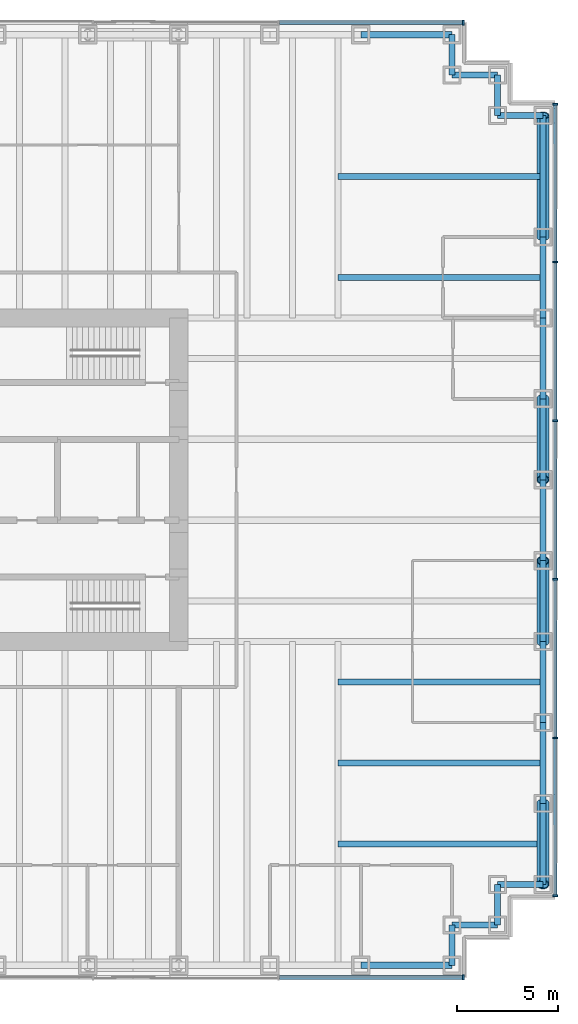
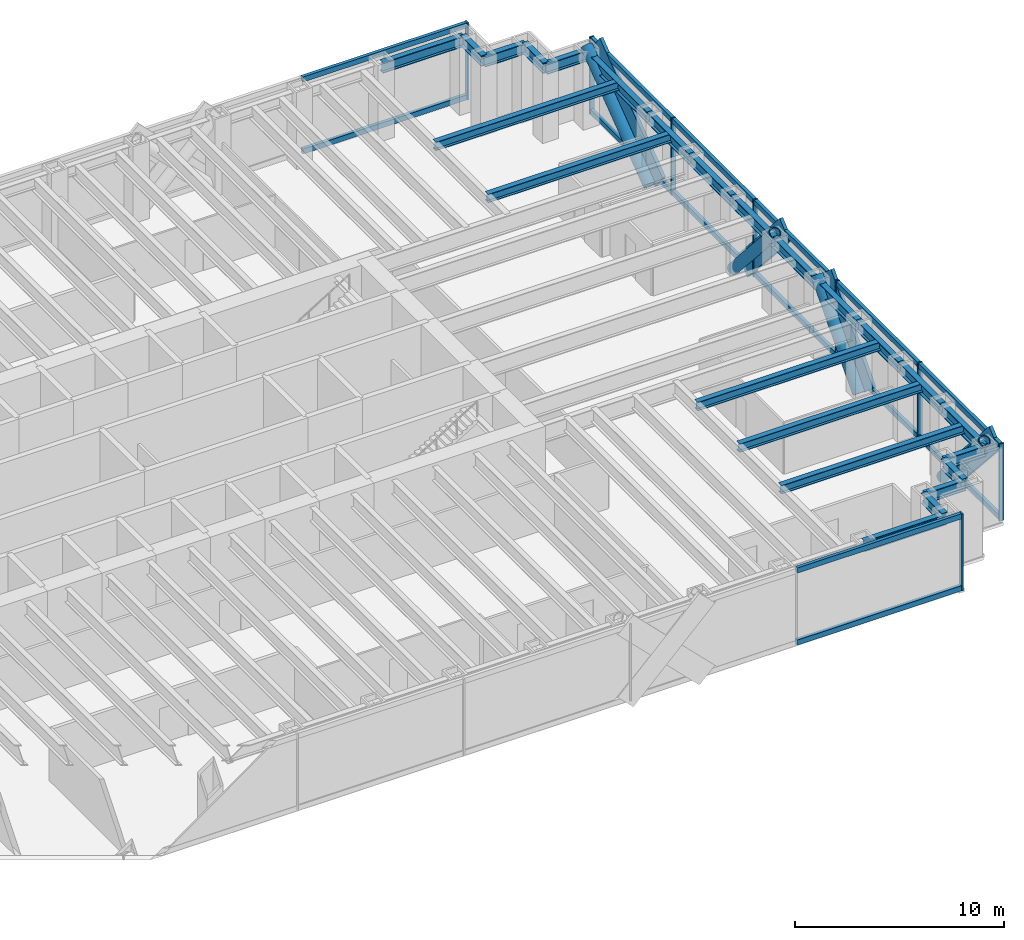
# One storey, part 7 of 13: 30 members, 24 beams, 3 elements without a shape of their own.
"""IFC4 building model written with IfcOpenShell, lengths in metres."""

import ifcopenshell
import ifcopenshell.guid

model = None  # the IFC model being written
_history = None  # IfcOwnerHistory: only IFC2X3 demands one
_inside = {}  # id of a spatial element -> (the spatial element, [elements in it])
_under = {}  # id of a project, library or spatial element -> (it, [spatial elements below it])
_declared = {}  # id of a project -> (the project, [libraries it declares])
_typed = {}  # id of a type object -> (the type object, [elements of that type])
_made_of = {}  # id of a material, layer set ... -> (it, [elements and type objects made of it])


def new_model(schema):
    """Start an empty IFC model of exactly this schema.

    Asked for "IFC4X3", IfcOpenShell would pick the latest addendum, in which some entities
    have other attributes; the version numbers below select the first issue.
    IFC2X3 requires an IfcOwnerHistory on every rooted entity: one is made here for all.
    """
    global model, _history
    if schema == "IFC4X3":
        model = ifcopenshell.file(schema_version=(4, 3, 0, 0))
    else:
        model = ifcopenshell.file(schema=schema)
    _inside.clear()
    _under.clear()
    _declared.clear()
    _typed.clear()
    _made_of.clear()
    _history = None
    if model.schema == "IFC2X3":
        org = make("IfcOrganization", Name="unknown")
        user = make(
            "IfcPersonAndOrganization",
            ThePerson=make("IfcPerson", FamilyName="unknown"),
            TheOrganization=org,
        )
        app = make(
            "IfcApplication",
            ApplicationDeveloper=org,
            Version="unknown",
            ApplicationFullName="unknown",
            ApplicationIdentifier="unknown",
        )
        _history = make(
            "IfcOwnerHistory",
            OwningUser=user,
            OwningApplication=app,
            ChangeAction="ADDED",
            CreationDate=0,
        )
    return model


def make(cls, **values):
    """One entity of the class cls with the attributes given. An attribute that is None is left unset."""
    return model.create_entity(
        cls, **{name: value for name, value in values.items() if value is not None}
    )


def rooted(cls, **values):
    """An entity with a GlobalId (a new one), such as an element, a storey or a relation."""
    return make(cls, GlobalId=ifcopenshell.guid.new(), OwnerHistory=_history, **values)


def si_unit(unit_type, name, prefix=None):
    """IfcSIUnit, for example si_unit("LENGTHUNIT", "METRE", prefix="MILLI")."""
    return make("IfcSIUnit", UnitType=unit_type, Prefix=prefix, Name=name)


def assignment(units):
    """IfcUnitAssignment: the units of a project."""
    return None if units is None else make("IfcUnitAssignment", Units=units)


def point(xyz):
    """IfcCartesianPoint."""
    return None if xyz is None else make("IfcCartesianPoint", Coordinates=xyz)


def direction(xyz):
    """IfcDirection."""
    return None if xyz is None else make("IfcDirection", DirectionRatios=xyz)


def frame(location, z_axis=None, x_axis=None):
    """IfcAxis2Placement3D, a coordinate frame: its origin and axes. An axis left out is left unset."""
    return make(
        "IfcAxis2Placement3D",
        Location=point(location),
        Axis=direction(z_axis),
        RefDirection=direction(x_axis),
    )


def frame_2d(location, x_axis=None):
    """IfcAxis2Placement2D, a coordinate frame in the plane: its origin and x axis."""
    return make(
        "IfcAxis2Placement2D", Location=point(location), RefDirection=direction(x_axis)
    )


def origin():
    """The frame at (0, 0, 0) with its axes left unset."""
    return frame((0.0, 0.0, 0.0))


def origin_2d():
    """The frame at (0, 0) in the plane with its x axis left unset."""
    return frame_2d((0.0, 0.0))


def place(relative_to, where):
    """IfcLocalPlacement: puts the frame where relative to a parent placement (None: the world)."""
    return make(
        "IfcLocalPlacement", PlacementRelTo=relative_to, RelativePlacement=where
    )


def context(
    kind, dimensions, precision=None, world=None, true_north=None, identifier=None
):
    """IfcGeometricRepresentationContext, for example the 3D "Model" context."""
    return make(
        "IfcGeometricRepresentationContext",
        ContextIdentifier=identifier,
        ContextType=kind,
        CoordinateSpaceDimension=dimensions,
        Precision=precision,
        WorldCoordinateSystem=world,
        TrueNorth=true_north,
    )


def subcontext(parent, identifier, kind, view, scale=None):
    """IfcGeometricRepresentationSubContext, for example "Body" below "Model"."""
    return make(
        "IfcGeometricRepresentationSubContext",
        ContextIdentifier=identifier,
        ContextType=kind,
        ParentContext=parent,
        TargetScale=scale,
        TargetView=view,
    )


def project(units=None, contexts=None):
    """IfcProject with its units and contexts."""
    return rooted(
        "IfcProject",
        Name="project",
        RepresentationContexts=contexts,
        UnitsInContext=assignment(units),
    )


def spatial(cls, under=None, at=None, **own):
    """A site, building, storey or space (cls), placed at a placement, below another one or the project."""
    s = rooted(cls, ObjectPlacement=at, **own)
    if under is not None:
        _under.setdefault(under.id(), (under, []))[1].append(s)
    return s


def profile(cls, at=None, kind="AREA", **sizes):
    """A parametric profile (cls). Its sizes go by their IFC names, for example OverallWidth=200.0."""
    return make(cls, ProfileType=kind, Position=at, **sizes)


def rectangle(**sizes):
    """IfcRectangleProfileDef."""
    return profile("IfcRectangleProfileDef", **sizes)


def hollow_circle(**sizes):
    """IfcCircleHollowProfileDef."""
    return profile("IfcCircleHollowProfileDef", **sizes)


def i_section(**sizes):
    """IfcIShapeProfileDef."""
    return profile("IfcIShapeProfileDef", **sizes)


def extrude(swept, where, along, depth):
    """IfcExtrudedAreaSolid: the profile swept, set in the frame where, extruded along a direction by depth."""
    return make(
        "IfcExtrudedAreaSolid",
        SweptArea=swept,
        Position=where,
        ExtrudedDirection=direction(along),
        Depth=depth,
    )


def shape(context_of_items, identifier, shape_type, items):
    """IfcShapeRepresentation: the items that make up one representation, for example the "Body"."""
    return make(
        "IfcShapeRepresentation",
        ContextOfItems=context_of_items,
        RepresentationIdentifier=identifier,
        RepresentationType=shape_type,
        Items=items,
    )


def material(Name=None, Category=None):
    """IfcMaterial."""
    return make("IfcMaterial", Name=Name, Category=Category)


def material_profile(
    of_material, cross_section, Name=None, Category=None, Priority=None
):
    """IfcMaterialProfile: a cross section and its material."""
    return make(
        "IfcMaterialProfile",
        Name=Name,
        Material=of_material,
        Profile=cross_section,
        Priority=Priority,
        Category=Category,
    )


def profile_set(profiles, Name=None, composite=None):
    """IfcMaterialProfileSet."""
    return make(
        "IfcMaterialProfileSet",
        Name=Name,
        MaterialProfiles=profiles,
        CompositeProfile=composite,
    )


def made_of(thing, what):
    """Note that an element or type object is made of a material, layer set ...; save() writes the relation."""
    if what is not None:
        _made_of.setdefault(what.id(), (what, []))[1].append(thing)
    return thing


def type_object(cls, material=None, **own):
    """A type object (cls), such as IfcWallType, which elements share."""
    return made_of(rooted(cls, **own), material)


def element(
    cls,
    number,
    at=None,
    inside=None,
    cuts=None,
    type_object=None,
    material=None,
    context=None,
    identifier="Body",
    shape_type=None,
    held_by="IfcProductDefinitionShape",
    body=None,
    shapes=None,
    **own,
):
    """One element of the class cls, such as IfcWall. Its Tag is "e" and its number.

    at: its placement. inside: the storey or other place that contains it. cuts: it is an
    opening in that element (IfcRelVoidsElement). A single representation is given by context,
    identifier, shape_type and body (its items); several are given by shapes. held_by: the class
    of the entity that holds the representations. save() writes the other relations.
    """
    e = rooted(cls, Tag="e%d" % number, ObjectPlacement=at, **own)
    if body is not None:
        shapes = [shape(context, identifier, shape_type, body)]
    if shapes is not None:
        e.Representation = make(held_by, Representations=shapes)
    if inside is not None:
        _inside.setdefault(inside.id(), (inside, []))[1].append(e)
    if cuts is not None:
        rooted(
            "IfcRelVoidsElement", RelatingBuildingElement=cuts, RelatedOpeningElement=e
        )
    if type_object is not None:
        _typed.setdefault(type_object.id(), (type_object, []))[1].append(e)
    return made_of(e, material)


def aggregate(whole, parts):
    """IfcRelAggregates: a whole, such as a stair, and the parts it consists of."""
    return rooted("IfcRelAggregates", RelatingObject=whole, RelatedObjects=parts)


def save(model, path):
    """Write the relations noted so far, then the file.

    IfcRelAggregates (storeys below a building ...), IfcRelContainedInSpatialStructure (elements
    in a storey), IfcRelDefinesByType, IfcRelAssociatesMaterial and IfcRelDeclares: one each for
    every whole, place, type object, material and project.
    """
    for whole, parts in _under.values():
        aggregate(whole, parts)
    for where, things in _inside.values():
        rooted(
            "IfcRelContainedInSpatialStructure",
            RelatedElements=things,
            RelatingStructure=where,
        )
    for kind, things in _typed.values():
        rooted("IfcRelDefinesByType", RelatedObjects=things, RelatingType=kind)
    for what, things in _made_of.values():
        rooted("IfcRelAssociatesMaterial", RelatedObjects=things, RelatingMaterial=what)
    for by, libraries in _declared.values():
        rooted("IfcRelDeclares", RelatingContext=by, RelatedDefinitions=libraries)
    model.write(path)


model = new_model("IFC4")

# Units and contexts
model_context = context("Model", 3, precision=1e-05, world=origin(), true_north=direction((0.0, 1.0)))
body_context = subcontext(model_context, "Body", "Model", "MODEL_VIEW")
ifc_project = project(units=[si_unit("LENGTHUNIT", "METRE"), si_unit("AREAUNIT", "SQUARE_METRE"), si_unit("VOLUMEUNIT", "CUBIC_METRE"), si_unit("PLANEANGLEUNIT", "RADIAN"), si_unit("MASSUNIT", "GRAM", prefix="KILO")], contexts=[model_context])

# Site, building, storey
site_placement = place(None, origin())
site = spatial("IfcSite", under=ifc_project, at=site_placement, CompositionType="ELEMENT")
building_placement = place(site_placement, origin())
building = spatial("IfcBuilding", under=site, at=building_placement, Name="Rheinbord Bourse Tower", CompositionType="ELEMENT")
storey_placement = place(building_placement, frame((0.0, 0.0, 77.0)))
storey = spatial("IfcBuildingStorey", under=building, at=storey_placement, Name="L16", CompositionType="ELEMENT", Elevation=77.0)

# Curtain wall, members
ifc_material_1 = material(Name="Dark glass and black aluminium", Category="aluminium")
curtain_wall_type = type_object("IfcCurtainWallType", Name="CW1 DARK GLASS CURTAIN WALL", PredefinedType="USERDEFINED", material=ifc_material_1)
curtain_wall_1_placement = place(storey_placement, origin())
curtain_wall_1 = element("IfcCurtainWall", 1, at=curtain_wall_1_placement, inside=storey, type_object=curtain_wall_type, Name="Curtain wall CW1 E L16", ObjectType="UNITISED CURTAIN WALL", PredefinedType="USERDEFINED")
ifc_material_2 = material(Name="Black anodised aluminium", Category="aluminium")
ifc_material_profile_1 = material_profile(ifc_material_2, rectangle(XDim=0.179931640625, YDim=1.2099609375, at=origin_2d()), Name="CW1 DIAGONAL MULLION 1210x180")
ifc_profile_set_1 = profile_set([ifc_material_profile_1], Name="Black anodised aluminium")
member_type_1 = type_object("IfcMemberType", Name="CW1 BLACK DIAGONAL MULLION", PredefinedType="USERDEFINED", material=ifc_profile_set_1)
member_1_placement = place(storey_placement, frame((72.60009765625, 8.0, 0.0), z_axis=(0.0, -0.66436383883, 0.747409318684), x_axis=(1.0, 0.0, 0.0)))
member_1 = element("IfcMember", 2, at=member_1_placement, type_object=member_type_1, Name="CW1 diagonal mullion a", ObjectType="DIAGONAL MULLION", PredefinedType="USERDEFINED", context=body_context, shape_type="SweptSolid", body=[
    extrude(rectangle(XDim=0.179931640625, YDim=1.2099609375, at=origin_2d()), origin(), (0.0, 0.0, 1.0), 6.020751953125),
])
member_2_placement = place(storey_placement, frame((72.60009765625, 36.0, 0.0), z_axis=(0.0, 0.8, 0.6), x_axis=(-1.0, 0.0, 0.0)))
member_2 = element("IfcMember", 3, at=member_2_placement, type_object=member_type_1, Name="CW1 diagonal mullion b", ObjectType="DIAGONAL MULLION", PredefinedType="USERDEFINED", context=body_context, shape_type="SweptSolid", body=[
    extrude(rectangle(XDim=0.179931640625, YDim=1.2099609375, at=origin_2d()), origin(), (0.0, 0.0, 1.0), 7.5),
])
member_3_placement = place(storey_placement, frame((72.60009765625, 16.0, 0.0), z_axis=(0.0, 0.66436383883, 0.747409318684), x_axis=(-1.0, 0.0, 0.0)))
member_3 = element("IfcMember", 4, at=member_3_placement, type_object=member_type_1, Name="CW1 diagonal mullion c", ObjectType="DIAGONAL MULLION", PredefinedType="USERDEFINED", context=body_context, shape_type="SweptSolid", body=[
    extrude(rectangle(XDim=0.179931640625, YDim=1.2099609375, at=origin_2d()), origin(), (0.0, 0.0, 1.0), 6.020751953125),
])
member_4_placement = place(storey_placement, frame((72.60009765625, 28.0, 0.0), z_axis=(0.0, -0.66436383883, 0.747409318684), x_axis=(1.0, 0.0, 0.0)))
member_4 = element("IfcMember", 5, at=member_4_placement, type_object=member_type_1, Name="CW1 diagonal mullion d", ObjectType="DIAGONAL MULLION", PredefinedType="USERDEFINED", context=body_context, shape_type="SweptSolid", body=[
    extrude(rectangle(XDim=0.179931640625, YDim=1.2099609375, at=origin_2d()), origin(), (0.0, 0.0, 1.0), 6.020751953125),
])

# Curtain wall, member
curtain_wall_2_placement = place(storey_placement, origin())
curtain_wall_2 = element("IfcCurtainWall", 6, at=curtain_wall_2_placement, inside=storey, type_object=curtain_wall_type, Name="Curtain wall CW1 S L16", ObjectType="UNITISED CURTAIN WALL", PredefinedType="USERDEFINED")
ifc_material_3 = material(Name="Black anodised aluminium", Category="aluminium")
ifc_material_profile_2 = material_profile(ifc_material_3, rectangle(XDim=0.25, YDim=0.080078125, at=origin_2d()), Name="CW1 MULLION 80x250")
ifc_profile_set_2 = profile_set([ifc_material_profile_2], Name="Black anodised aluminium")
member_type_2 = type_object("IfcMemberType", Name="CW1 BLACK MULLION", PredefinedType="MULLION", material=ifc_profile_set_2)
member_5_placement = place(storey_placement, frame((68.06005859375, -0.60009765625, 0.0), z_axis=(0.0, 0.0, 1.0), x_axis=(0.0, 1.0, 0.0)))
member_5 = element("IfcMember", 7, at=member_5_placement, type_object=member_type_2, Name="CW1 mullion 8", PredefinedType="MULLION", context=body_context, shape_type="SweptSolid", body=[
    extrude(rectangle(XDim=0.25, YDim=0.080078125, at=origin_2d()), origin(), (0.0, 0.0, 1.0), 4.5),
])

# Member
member_6_placement = place(storey_placement, frame((72.60009765625, 3.43994140625, 0.0), z_axis=(0.0, 0.0, 1.0), x_axis=(-1.0, 0.0, 0.0)))
member_6 = element("IfcMember", 8, at=member_6_placement, type_object=member_type_2, Name="CW1 mullion 1", PredefinedType="MULLION", context=body_context, shape_type="SweptSolid", body=[
    extrude(rectangle(XDim=0.25, YDim=0.080078125, at=origin_2d()), origin(), (0.0, 0.0, 1.0), 4.5),
])

member_7_placement = place(storey_placement, frame((72.60009765625, 11.239990234375, 0.0), z_axis=(0.0, 0.0, 1.0), x_axis=(-1.0, 0.0, 0.0)))
member_7 = element("IfcMember", 9, at=member_7_placement, type_object=member_type_2, Name="CW1 mullion 2", PredefinedType="MULLION", context=body_context, shape_type="SweptSolid", body=[
    extrude(rectangle(XDim=0.25, YDim=0.080078125, at=origin_2d()), origin(), (0.0, 0.0, 1.0), 4.5),
])

member_8_placement = place(storey_placement, frame((72.60009765625, 19.080078125, 0.0), z_axis=(0.0, 0.0, 1.0), x_axis=(-1.0, 0.0, 0.0)))
member_8 = element("IfcMember", 10, at=member_8_placement, type_object=member_type_2, Name="CW1 mullion 3", PredefinedType="MULLION", context=body_context, shape_type="SweptSolid", body=[
    extrude(rectangle(XDim=0.25, YDim=0.080078125, at=origin_2d()), origin(), (0.0, 0.0, 1.0), 4.5),
])

member_9_placement = place(storey_placement, frame((72.60009765625, 26.919921875, 0.0), z_axis=(0.0, 0.0, 1.0), x_axis=(-1.0, 0.0, 0.0)))
member_9 = element("IfcMember", 11, at=member_9_placement, type_object=member_type_2, Name="CW1 mullion 4", PredefinedType="MULLION", context=body_context, shape_type="SweptSolid", body=[
    extrude(rectangle(XDim=0.25, YDim=0.080078125, at=origin_2d()), origin(), (0.0, 0.0, 1.0), 4.5),
])

member_10_placement = place(storey_placement, frame((72.60009765625, 34.760009765625, 0.0), z_axis=(0.0, 0.0, 1.0), x_axis=(-1.0, 0.0, 0.0)))
member_10 = element("IfcMember", 12, at=member_10_placement, type_object=member_type_2, Name="CW1 mullion 5", PredefinedType="MULLION", context=body_context, shape_type="SweptSolid", body=[
    extrude(rectangle(XDim=0.25, YDim=0.080078125, at=origin_2d()), origin(), (0.0, 0.0, 1.0), 4.5),
])

member_11_placement = place(storey_placement, frame((72.60009765625, 42.56005859375, 0.0), z_axis=(0.0, 0.0, 1.0), x_axis=(-1.0, 0.0, 0.0)))
member_11 = element("IfcMember", 13, at=member_11_placement, type_object=member_type_2, Name="CW1 mullion 6", PredefinedType="MULLION", context=body_context, shape_type="SweptSolid", body=[
    extrude(rectangle(XDim=0.25, YDim=0.080078125, at=origin_2d()), origin(), (0.0, 0.0, 1.0), 4.5),
])

# Curtain wall, member
curtain_wall_3_placement = place(storey_placement, origin())
curtain_wall_3 = element("IfcCurtainWall", 14, at=curtain_wall_3_placement, inside=storey, type_object=curtain_wall_type, Name="Curtain wall CW1 N L16", ObjectType="UNITISED CURTAIN WALL", PredefinedType="USERDEFINED")
member_12_placement = place(storey_placement, frame((68.06005859375, 46.60009765625, 0.0), z_axis=(0.0, 0.0, 1.0), x_axis=(0.0, -1.0, 0.0)))
member_12 = element("IfcMember", 15, at=member_12_placement, type_object=member_type_2, Name="CW1 mullion 1", PredefinedType="MULLION", context=body_context, shape_type="SweptSolid", body=[
    extrude(rectangle(XDim=0.25, YDim=0.080078125, at=origin_2d()), origin(), (0.0, 0.0, 1.0), 4.5),
])

# Member
ifc_material_4 = material(Name="Black anodised aluminium", Category="aluminium")
ifc_material_profile_3 = material_profile(ifc_material_4, rectangle(XDim=0.179931640625, YDim=0.300048828125, at=origin_2d()), Name="CW1 TRANSOM 300x180")
ifc_profile_set_3 = profile_set([ifc_material_profile_3], Name="Black anodised aluminium")
member_type_3 = type_object("IfcMemberType", Name="CW1 BLACK TRANSOM", PredefinedType="USERDEFINED", material=ifc_profile_set_3)
member_13_placement = place(storey_placement, frame((58.968505859375, -0.60009765625, 0.14990234375), z_axis=(1.0, 0.0, 0.0), x_axis=(0.0, 1.0, 0.0)))
member_13 = element("IfcMember", 16, at=member_13_placement, type_object=member_type_3, Name="CW1 transom 7.1", ObjectType="TRANSOM", PredefinedType="USERDEFINED", context=body_context, shape_type="SweptSolid", body=[
    extrude(rectangle(XDim=0.179931640625, YDim=0.300048828125, at=origin_2d()), origin(), (0.0, 0.0, 1.0), 9.051513671875),
])

member_14_placement = place(storey_placement, frame((58.968505859375, -0.60009765625, 4.35009765625), z_axis=(1.0, 0.0, 0.0), x_axis=(0.0, 1.0, 0.0)))
member_14 = element("IfcMember", 17, at=member_14_placement, type_object=member_type_3, Name="CW1 transom 7.2", ObjectType="TRANSOM", PredefinedType="USERDEFINED", context=body_context, shape_type="SweptSolid", body=[
    extrude(rectangle(XDim=0.179931640625, YDim=0.300048828125, at=origin_2d()), origin(), (0.0, 0.0, 1.0), 9.051513671875),
])

aggregate(curtain_wall_2, [member_5, member_13, member_14])

member_15_placement = place(storey_placement, frame((72.60009765625, 3.47998046875, 0.14990234375), z_axis=(0.0, 1.0, 0.0), x_axis=(-1.0, 0.0, 0.0)))
member_15 = element("IfcMember", 18, at=member_15_placement, type_object=member_type_3, Name="CW1 transom 1.1", ObjectType="TRANSOM", PredefinedType="USERDEFINED", context=body_context, shape_type="SweptSolid", body=[
    extrude(rectangle(XDim=0.179931640625, YDim=0.300048828125, at=origin_2d()), origin(), (0.0, 0.0, 1.0), 7.719970703125),
])

member_16_placement = place(storey_placement, frame((72.60009765625, 3.47998046875, 4.35009765625), z_axis=(0.0, 1.0, 0.0), x_axis=(-1.0, 0.0, 0.0)))
member_16 = element("IfcMember", 19, at=member_16_placement, type_object=member_type_3, Name="CW1 transom 1.2", ObjectType="TRANSOM", PredefinedType="USERDEFINED", context=body_context, shape_type="SweptSolid", body=[
    extrude(rectangle(XDim=0.179931640625, YDim=0.300048828125, at=origin_2d()), origin(), (0.0, 0.0, 1.0), 7.719970703125),
])

member_17_placement = place(storey_placement, frame((72.60009765625, 11.280029296875, 0.14990234375), z_axis=(0.0, 1.0, 0.0), x_axis=(-1.0, 0.0, 0.0)))
member_17 = element("IfcMember", 20, at=member_17_placement, type_object=member_type_3, Name="CW1 transom 2.1", ObjectType="TRANSOM", PredefinedType="USERDEFINED", context=body_context, shape_type="SweptSolid", body=[
    extrude(rectangle(XDim=0.179931640625, YDim=0.300048828125, at=origin_2d()), origin(), (0.0, 0.0, 1.0), 7.760009765625),
])

member_18_placement = place(storey_placement, frame((72.60009765625, 11.280029296875, 4.35009765625), z_axis=(0.0, 1.0, 0.0), x_axis=(-1.0, 0.0, 0.0)))
member_18 = element("IfcMember", 21, at=member_18_placement, type_object=member_type_3, Name="CW1 transom 2.2", ObjectType="TRANSOM", PredefinedType="USERDEFINED", context=body_context, shape_type="SweptSolid", body=[
    extrude(rectangle(XDim=0.179931640625, YDim=0.300048828125, at=origin_2d()), origin(), (0.0, 0.0, 1.0), 7.760009765625),
])

member_19_placement = place(storey_placement, frame((72.60009765625, 19.1201171875, 0.14990234375), z_axis=(0.0, 1.0, 0.0), x_axis=(-1.0, 0.0, 0.0)))
member_19 = element("IfcMember", 22, at=member_19_placement, type_object=member_type_3, Name="CW1 transom 3.1", ObjectType="TRANSOM", PredefinedType="USERDEFINED", context=body_context, shape_type="SweptSolid", body=[
    extrude(rectangle(XDim=0.179931640625, YDim=0.300048828125, at=origin_2d()), origin(), (0.0, 0.0, 1.0), 7.759765625),
])

member_20_placement = place(storey_placement, frame((72.60009765625, 19.1201171875, 4.35009765625), z_axis=(0.0, 1.0, 0.0), x_axis=(-1.0, 0.0, 0.0)))
member_20 = element("IfcMember", 23, at=member_20_placement, type_object=member_type_3, Name="CW1 transom 3.2", ObjectType="TRANSOM", PredefinedType="USERDEFINED", context=body_context, shape_type="SweptSolid", body=[
    extrude(rectangle(XDim=0.179931640625, YDim=0.300048828125, at=origin_2d()), origin(), (0.0, 0.0, 1.0), 7.759765625),
])

member_21_placement = place(storey_placement, frame((72.60009765625, 26.9599609375, 0.14990234375), z_axis=(0.0, 1.0, 0.0), x_axis=(-1.0, 0.0, 0.0)))
member_21 = element("IfcMember", 24, at=member_21_placement, type_object=member_type_3, Name="CW1 transom 4.1", ObjectType="TRANSOM", PredefinedType="USERDEFINED", context=body_context, shape_type="SweptSolid", body=[
    extrude(rectangle(XDim=0.179931640625, YDim=0.300048828125, at=origin_2d()), origin(), (0.0, 0.0, 1.0), 7.760009765625),
])

member_22_placement = place(storey_placement, frame((72.60009765625, 26.9599609375, 4.35009765625), z_axis=(0.0, 1.0, 0.0), x_axis=(-1.0, 0.0, 0.0)))
member_22 = element("IfcMember", 25, at=member_22_placement, type_object=member_type_3, Name="CW1 transom 4.2", ObjectType="TRANSOM", PredefinedType="USERDEFINED", context=body_context, shape_type="SweptSolid", body=[
    extrude(rectangle(XDim=0.179931640625, YDim=0.300048828125, at=origin_2d()), origin(), (0.0, 0.0, 1.0), 7.760009765625),
])

member_23_placement = place(storey_placement, frame((72.60009765625, 34.800048828125, 0.14990234375), z_axis=(0.0, 1.0, 0.0), x_axis=(-1.0, 0.0, 0.0)))
member_23 = element("IfcMember", 26, at=member_23_placement, type_object=member_type_3, Name="CW1 transom 5.1", ObjectType="TRANSOM", PredefinedType="USERDEFINED", context=body_context, shape_type="SweptSolid", body=[
    extrude(rectangle(XDim=0.179931640625, YDim=0.300048828125, at=origin_2d()), origin(), (0.0, 0.0, 1.0), 7.719970703125),
])

member_24_placement = place(storey_placement, frame((72.60009765625, 34.800048828125, 4.35009765625), z_axis=(0.0, 1.0, 0.0), x_axis=(-1.0, 0.0, 0.0)))
member_24 = element("IfcMember", 27, at=member_24_placement, type_object=member_type_3, Name="CW1 transom 5.2", ObjectType="TRANSOM", PredefinedType="USERDEFINED", context=body_context, shape_type="SweptSolid", body=[
    extrude(rectangle(XDim=0.179931640625, YDim=0.300048828125, at=origin_2d()), origin(), (0.0, 0.0, 1.0), 7.719970703125),
])

aggregate(curtain_wall_1, [member_6, member_7, member_8, member_9, member_10, member_11, member_15, member_16, member_17, member_18, member_19, member_20, member_21, member_22, member_23, member_24, member_1, member_2, member_3, member_4])

member_25_placement = place(storey_placement, frame((68.02001953125, 46.60009765625, 0.14990234375), z_axis=(-1.0, 0.0, 0.0), x_axis=(0.0, -1.0, 0.0)))
member_25 = element("IfcMember", 28, at=member_25_placement, type_object=member_type_3, Name="CW1 transom 1.1", ObjectType="TRANSOM", PredefinedType="USERDEFINED", context=body_context, shape_type="SweptSolid", body=[
    extrude(rectangle(XDim=0.179931640625, YDim=0.300048828125, at=origin_2d()), origin(), (0.0, 0.0, 1.0), 9.051513671875),
])

member_26_placement = place(storey_placement, frame((68.02001953125, 46.60009765625, 4.35009765625), z_axis=(-1.0, 0.0, 0.0), x_axis=(0.0, -1.0, 0.0)))
member_26 = element("IfcMember", 29, at=member_26_placement, type_object=member_type_3, Name="CW1 transom 1.2", ObjectType="TRANSOM", PredefinedType="USERDEFINED", context=body_context, shape_type="SweptSolid", body=[
    extrude(rectangle(XDim=0.179931640625, YDim=0.300048828125, at=origin_2d()), origin(), (0.0, 0.0, 1.0), 9.051513671875),
])

aggregate(curtain_wall_3, [member_12, member_25, member_26])

# Members
ifc_material_5 = material(Name="Steel S460", Category="steel")
ifc_material_profile_4 = material_profile(ifc_material_5, hollow_circle(Radius=0.304931640625, WallThickness=0.050048828125, at=origin_2d()), Name="CHS 610x50")
ifc_profile_set_4 = profile_set([ifc_material_profile_4], Name="Steel S460")
member_type_4 = type_object("IfcMemberType", Name="MEGABRACE CHS 610x50", PredefinedType="BRACE", material=ifc_profile_set_4)
member_27_placement = place(storey_placement, frame((72.0, 8.0, 0.0), z_axis=(0.0, -0.66436383883, 0.747409318684), x_axis=(1.0, 0.0, 0.0)))
element("IfcMember", 30, at=member_27_placement, inside=storey, type_object=member_type_4, Name="Megabrace E face line a L16", PredefinedType="BRACE", context=body_context, shape_type="SweptSolid", body=[
    extrude(hollow_circle(Radius=0.304931640625, WallThickness=0.050048828125, at=origin_2d()), origin(), (0.0, 0.0, 1.0), 6.020751953125),
])
member_28_placement = place(storey_placement, frame((72.0, 36.0, 0.0), z_axis=(0.0, 0.8, 0.6), x_axis=(-1.0, 0.0, 0.0)))
element("IfcMember", 31, at=member_28_placement, inside=storey, type_object=member_type_4, Name="Megabrace E face line b L16", PredefinedType="BRACE", context=body_context, shape_type="SweptSolid", body=[
    extrude(hollow_circle(Radius=0.304931640625, WallThickness=0.050048828125, at=origin_2d()), origin(), (0.0, 0.0, 1.0), 7.5),
])
for number, where, z_axis, x_axis, name in (
    (32, (72.0, 16.0, 0.0), (0.0, 0.66436383883, 0.747409318684), (-1.0, 0.0, 0.0), "Megabrace E face line c L16"),
    (33, (72.0, 28.0, 0.0), (0.0, -0.66436383883, 0.747409318684), (1.0, 0.0, 0.0), "Megabrace E face line d L16"),
):
    element("IfcMember", number, at=place(storey_placement, frame(where, z_axis=z_axis, x_axis=x_axis)), inside=storey, type_object=member_type_4, Name=name, PredefinedType="BRACE", context=body_context, shape_type="SweptSolid", body=[
        extrude(hollow_circle(Radius=0.304931640625, WallThickness=0.050048828125, at=origin_2d()), origin(), (0.0, 0.0, 1.0), 6.020751953125),
    ])

# Beams
ifc_material_6 = material(Name="Steel S460", Category="steel")
ifc_material_profile_5 = material_profile(ifc_material_6, i_section(OverallWidth=0.304931640625, OverallDepth=0.6201171875, WebThickness=0.02099609375, FlangeThickness=0.0400390625, at=origin_2d()), Name="HEM 600")
ifc_profile_set_5 = profile_set([ifc_material_profile_5], Name="Steel S460")
beam_type_1 = type_object("IfcBeamType", Name="SPANDREL HEM 600", PredefinedType="SPANDREL", material=ifc_profile_set_5)
beam_1_placement = place(storey_placement, frame((63.0, 0.0, 4.010009765625), z_axis=(1.0, 0.0, 0.0), x_axis=(0.0, 1.0, 0.0)))
element("IfcBeam", 34, at=beam_1_placement, inside=storey, type_object=beam_type_1, Name="Spandrel S-63-SE-E under L17", PredefinedType="SPANDREL", context=body_context, shape_type="SweptSolid", body=[
    extrude(i_section(OverallWidth=0.304931640625, OverallDepth=0.6201171875, WebThickness=0.02099609375, FlangeThickness=0.0400390625, at=origin_2d()), origin(), (0.0, 0.0, 1.0), 4.5),
])
beam_2_placement = place(storey_placement, frame((67.5, 0.0, 4.010009765625), z_axis=(0.0, 1.0, 0.0), x_axis=(-1.0, 0.0, 0.0)))
element("IfcBeam", 35, at=beam_2_placement, inside=storey, type_object=beam_type_1, Name="Spandrel SE-E-SE-D under L17", PredefinedType="SPANDREL", context=body_context, shape_type="SweptSolid", body=[
    extrude(i_section(OverallWidth=0.304931640625, OverallDepth=0.6201171875, WebThickness=0.02099609375, FlangeThickness=0.0400390625, at=origin_2d()), origin(), (0.0, 0.0, 1.0), 2.0),
])
beam_3_placement = place(storey_placement, frame((67.5, 2.0, 4.010009765625), z_axis=(1.0, 0.0, 0.0), x_axis=(0.0, 1.0, 0.0)))
element("IfcBeam", 36, at=beam_3_placement, inside=storey, type_object=beam_type_1, Name="Spandrel SE-D-SE-C under L17", PredefinedType="SPANDREL", context=body_context, shape_type="SweptSolid", body=[
    extrude(i_section(OverallWidth=0.304931640625, OverallDepth=0.6201171875, WebThickness=0.02099609375, FlangeThickness=0.0400390625, at=origin_2d()), origin(), (0.0, 0.0, 1.0), 2.25),
])
beam_4_placement = place(storey_placement, frame((69.75, 2.0, 4.010009765625), z_axis=(0.0, 1.0, 0.0), x_axis=(-1.0, 0.0, 0.0)))
element("IfcBeam", 37, at=beam_4_placement, inside=storey, type_object=beam_type_1, Name="Spandrel SE-C-SE-B under L17", PredefinedType="SPANDREL", context=body_context, shape_type="SweptSolid", body=[
    extrude(i_section(OverallWidth=0.304931640625, OverallDepth=0.6201171875, WebThickness=0.02099609375, FlangeThickness=0.0400390625, at=origin_2d()), origin(), (0.0, 0.0, 1.0), 2.0),
])
beam_5_placement = place(storey_placement, frame((69.75, 4.0, 4.010009765625), z_axis=(1.0, 0.0, 0.0), x_axis=(0.0, 1.0, 0.0)))
element("IfcBeam", 38, at=beam_5_placement, inside=storey, type_object=beam_type_1, Name="Spandrel SE-B-SE-A under L17", PredefinedType="SPANDREL", context=body_context, shape_type="SweptSolid", body=[
    extrude(i_section(OverallWidth=0.304931640625, OverallDepth=0.6201171875, WebThickness=0.02099609375, FlangeThickness=0.0400390625, at=origin_2d()), origin(), (0.0, 0.0, 1.0), 2.25),
])
for number, where, z_axis, x_axis, name in (
    (39, (72.0, 4.0, 4.010009765625), (0.0, 1.0, 0.0), (-1.0, 0.0, 0.0), "Spandrel SE-A-E-8 under L17"),
    (40, (72.0, 8.0, 4.010009765625), (0.0, 1.0, 0.0), (-1.0, 0.0, 0.0), "Spandrel E-8-E-12 under L17"),
    (41, (72.0, 12.0, 4.010009765625), (0.0, 1.0, 0.0), (-1.0, 0.0, 0.0), "Spandrel E-12-E-16 under L17"),
    (42, (72.0, 16.0, 4.010009765625), (0.0, 1.0, 0.0), (-1.0, 0.0, 0.0), "Spandrel E-16-E-20 under L17"),
    (43, (72.0, 20.0, 4.010009765625), (0.0, 1.0, 0.0), (-1.0, 0.0, 0.0), "Spandrel E-20-E-24 under L17"),
    (44, (72.0, 24.0, 4.010009765625), (0.0, 1.0, 0.0), (-1.0, 0.0, 0.0), "Spandrel E-24-E-28 under L17"),
    (45, (72.0, 28.0, 4.010009765625), (0.0, 1.0, 0.0), (-1.0, 0.0, 0.0), "Spandrel E-28-E-32 under L17"),
    (46, (72.0, 32.0, 4.010009765625), (0.0, 1.0, 0.0), (-1.0, 0.0, 0.0), "Spandrel E-32-E-36 under L17"),
):
    element("IfcBeam", number, at=place(storey_placement, frame(where, z_axis=z_axis, x_axis=x_axis)), inside=storey, type_object=beam_type_1, Name=name, PredefinedType="SPANDREL", context=body_context, shape_type="SweptSolid", body=[
        extrude(i_section(OverallWidth=0.304931640625, OverallDepth=0.6201171875, WebThickness=0.02099609375, FlangeThickness=0.0400390625, at=origin_2d()), origin(), (0.0, 0.0, 1.0), 4.0),
    ])
beam_6_placement = place(storey_placement, frame((72.0, 36.0, 4.010009765625), z_axis=(0.0, 1.0, 0.0), x_axis=(-1.0, 0.0, 0.0)))
element("IfcBeam", 47, at=beam_6_placement, inside=storey, type_object=beam_type_1, Name="Spandrel E-36-NE-A under L17", PredefinedType="SPANDREL", context=body_context, shape_type="SweptSolid", body=[
    extrude(i_section(OverallWidth=0.304931640625, OverallDepth=0.6201171875, WebThickness=0.02099609375, FlangeThickness=0.0400390625, at=origin_2d()), origin(), (0.0, 0.0, 1.0), 6.0),
])
beam_7_placement = place(storey_placement, frame((72.0, 42.0, 4.010009765625), z_axis=(-1.0, 0.0, 0.0), x_axis=(0.0, -1.0, 0.0)))
element("IfcBeam", 48, at=beam_7_placement, inside=storey, type_object=beam_type_1, Name="Spandrel NE-A-NE-B under L17", PredefinedType="SPANDREL", context=body_context, shape_type="SweptSolid", body=[
    extrude(i_section(OverallWidth=0.304931640625, OverallDepth=0.6201171875, WebThickness=0.02099609375, FlangeThickness=0.0400390625, at=origin_2d()), origin(), (0.0, 0.0, 1.0), 2.25),
])
beam_8_placement = place(storey_placement, frame((69.75, 42.0, 4.010009765625), z_axis=(0.0, 1.0, 0.0), x_axis=(-1.0, 0.0, 0.0)))
element("IfcBeam", 49, at=beam_8_placement, inside=storey, type_object=beam_type_1, Name="Spandrel NE-B-NE-C under L17", PredefinedType="SPANDREL", context=body_context, shape_type="SweptSolid", body=[
    extrude(i_section(OverallWidth=0.304931640625, OverallDepth=0.6201171875, WebThickness=0.02099609375, FlangeThickness=0.0400390625, at=origin_2d()), origin(), (0.0, 0.0, 1.0), 2.0),
])
beam_9_placement = place(storey_placement, frame((69.75, 44.0, 4.010009765625), z_axis=(-1.0, 0.0, 0.0), x_axis=(0.0, -1.0, 0.0)))
element("IfcBeam", 50, at=beam_9_placement, inside=storey, type_object=beam_type_1, Name="Spandrel NE-C-NE-D under L17", PredefinedType="SPANDREL", context=body_context, shape_type="SweptSolid", body=[
    extrude(i_section(OverallWidth=0.304931640625, OverallDepth=0.6201171875, WebThickness=0.02099609375, FlangeThickness=0.0400390625, at=origin_2d()), origin(), (0.0, 0.0, 1.0), 2.25),
])
beam_10_placement = place(storey_placement, frame((67.5, 44.0, 4.010009765625), z_axis=(0.0, 1.0, 0.0), x_axis=(-1.0, 0.0, 0.0)))
element("IfcBeam", 51, at=beam_10_placement, inside=storey, type_object=beam_type_1, Name="Spandrel NE-D-NE-E under L17", PredefinedType="SPANDREL", context=body_context, shape_type="SweptSolid", body=[
    extrude(i_section(OverallWidth=0.304931640625, OverallDepth=0.6201171875, WebThickness=0.02099609375, FlangeThickness=0.0400390625, at=origin_2d()), origin(), (0.0, 0.0, 1.0), 2.0),
])
beam_11_placement = place(storey_placement, frame((67.5, 46.0, 4.010009765625), z_axis=(-1.0, 0.0, 0.0), x_axis=(0.0, -1.0, 0.0)))
element("IfcBeam", 52, at=beam_11_placement, inside=storey, type_object=beam_type_1, Name="Spandrel NE-E-N-63 under L17", PredefinedType="SPANDREL", context=body_context, shape_type="SweptSolid", body=[
    extrude(i_section(OverallWidth=0.304931640625, OverallDepth=0.6201171875, WebThickness=0.02099609375, FlangeThickness=0.0400390625, at=origin_2d()), origin(), (0.0, 0.0, 1.0), 4.5),
])
ifc_material_7 = material(Name="Steel S460", Category="steel")
ifc_material_profile_6 = material_profile(ifc_material_7, i_section(OverallWidth=0.300048828125, OverallDepth=0.5, WebThickness=0.014404296875, FlangeThickness=0.028076171875, at=origin_2d()), Name="HEB 500")
ifc_profile_set_6 = profile_set([ifc_material_profile_6], Name="Steel S460")
beam_type_2 = type_object("IfcBeamType", Name="TIE BEAM HEB 500", PredefinedType="JOIST", material=ifc_profile_set_6)
for number, where, z_axis, x_axis, name in (
    (53, (61.875, 6.0, 4.070068359375), (1.0, 0.0, 0.0), (0.0, 1.0, 0.0), "Tie east 6 L17"),
    (54, (61.875, 10.0, 4.070068359375), (1.0, 0.0, 0.0), (0.0, 1.0, 0.0), "Tie east 10 L17"),
    (55, (61.875, 14.0, 4.070068359375), (1.0, 0.0, 0.0), (0.0, 1.0, 0.0), "Tie east 14 L17"),
    (56, (61.875, 34.0, 4.070068359375), (1.0, 0.0, 0.0), (0.0, 1.0, 0.0), "Tie east 34 L17"),
    (57, (61.875, 39.0, 4.070068359375), (1.0, 0.0, 0.0), (0.0, 1.0, 0.0), "Tie east 39 L17"),
):
    element("IfcBeam", number, at=place(storey_placement, frame(where, z_axis=z_axis, x_axis=x_axis)), inside=storey, type_object=beam_type_2, Name=name, PredefinedType="JOIST", context=body_context, shape_type="SweptSolid", body=[
        extrude(i_section(OverallWidth=0.300048828125, OverallDepth=0.5, WebThickness=0.014404296875, FlangeThickness=0.028076171875, at=origin_2d()), origin(), (0.0, 0.0, 1.0), 10.125),
    ])

save(model, "model.ifc")
